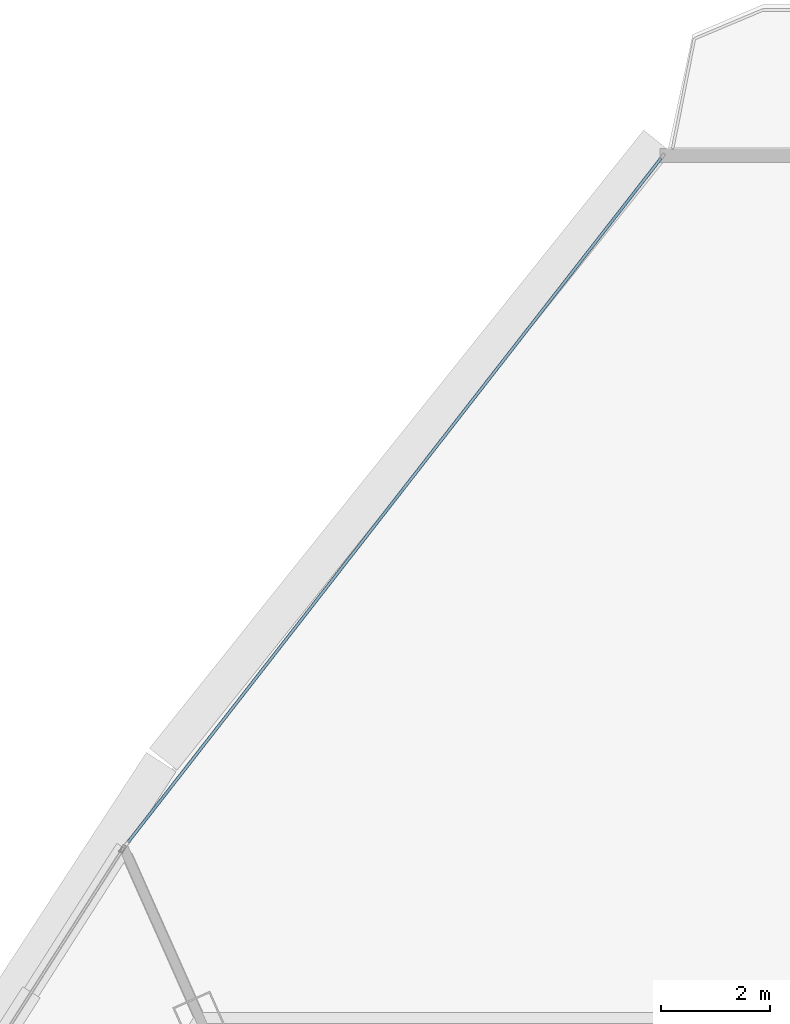
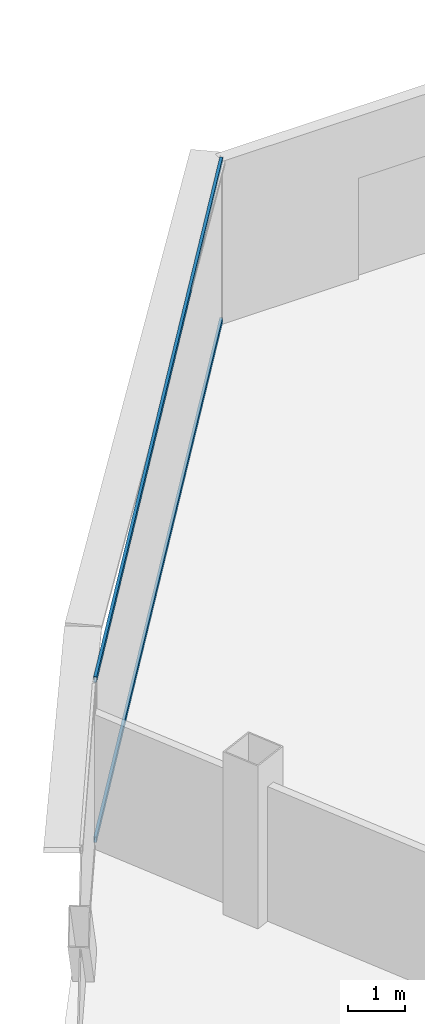
# One storey, part 20 of 37: 2 members, 1 element without a shape of its own.
"""IFC4 building model written with IfcOpenShell, lengths in metres."""

from ifc_helpers import new_model, si_unit, direction, frame, origin, origin_2d, place, context, subcontext, project, spatial, hollow_rectangle, extrude, source, transform, mapped, material, layer, layer_set, material_profile, profile_set, type_object, element, aggregate, save


model = new_model("IFC4")

# Units and contexts
model_context = context("Model", 3, precision=1e-05, world=origin(), true_north=direction((0.0, 1.0)))
body_context = subcontext(model_context, "Body", "Model", "MODEL_VIEW")
ifc_project = project(units=[si_unit("LENGTHUNIT", "METRE"), si_unit("AREAUNIT", "SQUARE_METRE"), si_unit("VOLUMEUNIT", "CUBIC_METRE"), si_unit("PLANEANGLEUNIT", "RADIAN"), si_unit("MASSUNIT", "GRAM", prefix="KILO"), si_unit("THERMODYNAMICTEMPERATUREUNIT", "KELVIN"), si_unit("POWERUNIT", "WATT")], contexts=[model_context])

# Site, building, storey
site_placement = place(None, origin())
site = spatial("IfcSite", under=ifc_project, at=site_placement, CompositionType="ELEMENT")
building_placement = place(site_placement, origin())
building = spatial("IfcBuilding", under=site, at=building_placement, Name="Yunzhuo Pagoda Commons", CompositionType="ELEMENT")
storey_placement = place(building_placement, frame((0.0, 0.0, 277.56005859375)))
storey = spatial("IfcBuildingStorey", under=building, at=storey_placement, Name="L69", CompositionType="ELEMENT", Elevation=277.56005859375)

# Curtain wall, members
ifc_material = material(Name="Anodized aluminium 6063-T6", Category="aluminium")
ifc_layer = layer(ifc_material, 0.139892578125)
ifc_layer_set = layer_set([ifc_layer], Name="Anodized aluminium 6063-T6")
curtain_wall_type = type_object("IfcCurtainWallType", Name="CW-HI High-Zone Ribbon Curtain Wall", PredefinedType="NOTDEFINED", material=ifc_layer_set)
curtain_wall_placement = place(storey_placement, origin())
curtain_wall = element("IfcCurtainWall", 1, at=curtain_wall_placement, inside=storey, type_object=curtain_wall_type, Name="L69 curtain wall CW-L69-F3B1", PredefinedType="NOTDEFINED")
ifc_material_profile = material_profile(ifc_material, hollow_rectangle(XDim=0.054931640625, YDim=0.1201171875, WallThickness=0.00341796875, at=origin_2d()), Name="Anodized aluminium 6063-T6")
ifc_profile_set = profile_set([ifc_material_profile], Name="Anodized aluminium 6063-T6")
member_type = type_object("IfcMemberType", Name="CW-HI-T Transom RHS 120x55x3.5", PredefinedType="USERDEFINED", material=ifc_profile_set)
shared_shape = source(origin(), body_context, "Body", "SweptSolid", [
    extrude(hollow_rectangle(XDim=0.054931640625, YDim=0.1201171875, WallThickness=0.00341796875, at=origin_2d()), origin(), (0.0, 0.0, 1.0), 15.966064453125),
])
member_1_placement = place(storey_placement, frame((44.385986328125, 76.745849609375, 0.02734375), z_axis=(-0.61466551627, -0.788787869524, 0.0), x_axis=(0.788787869524, -0.61466551627, 0.0)))
member_1 = element("IfcMember", 2, at=member_1_placement, type_object=member_type, Name="CW transom 1.1", ObjectType="TRANSOM", PredefinedType="USERDEFINED", context=body_context, shape_type="MappedRepresentation", body=[
    mapped(shared_shape, transform((0.0, 0.0, 0.0), scale=1.0)),
])
member_2_placement = place(storey_placement, frame((44.385986328125, 76.745849609375, 3.4423828125), z_axis=(-0.61466551627, -0.788787869524, 0.0), x_axis=(0.788787869524, -0.61466551627, 0.0)))
member_2 = element("IfcMember", 3, at=member_2_placement, type_object=member_type, Name="CW transom 1.2", ObjectType="TRANSOM", PredefinedType="USERDEFINED", context=body_context, shape_type="MappedRepresentation", body=[
    mapped(shared_shape, transform((0.0, 0.0, 0.0), scale=1.0)),
])
aggregate(curtain_wall, [member_1, member_2])

save(model, "model.ifc")
